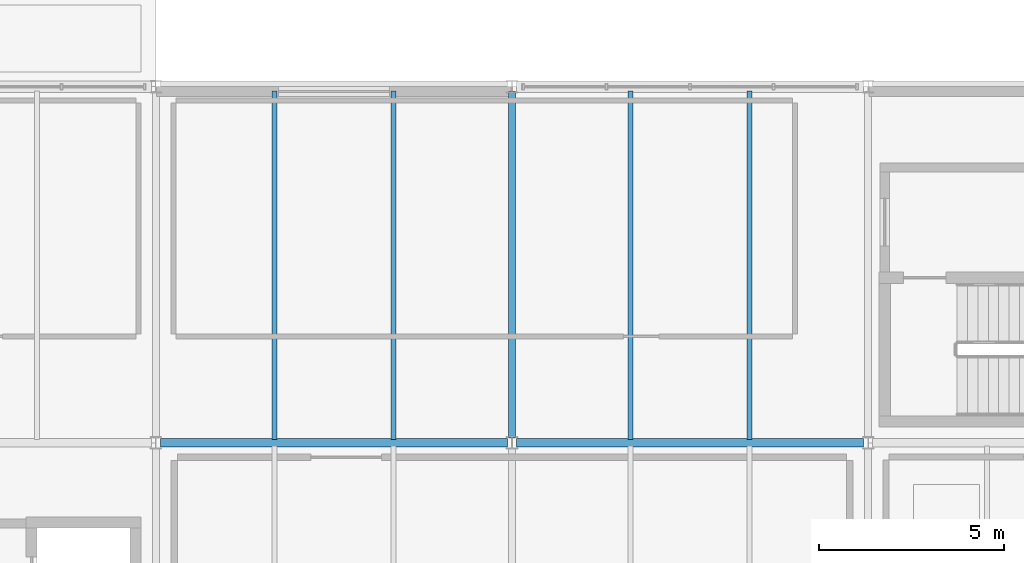
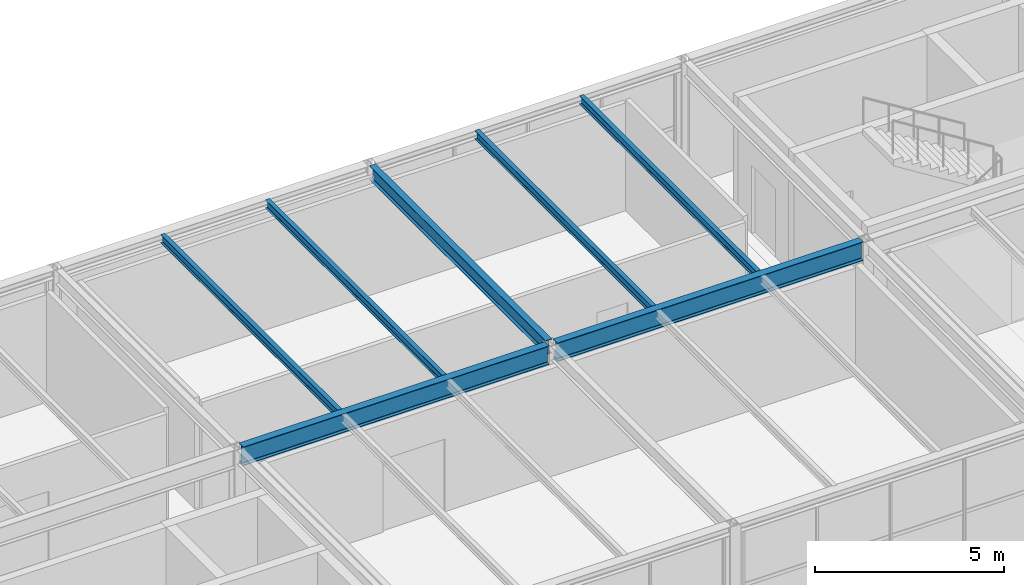
# One storey, part 21 of 50: 7 beams.
"""IFC4 building model written with IfcOpenShell, lengths in metres."""

from ifc_helpers import new_model, si_unit, direction, frame, origin, origin_2d, place, context, subcontext, project, spatial, i_section, extrude, material, material_profile, profile_set, type_object, element, save


model = new_model("IFC4")

# Units and contexts
model_context = context("Model", 3, precision=1e-05, world=origin(), true_north=direction((0.0, 1.0)))
body_context = subcontext(model_context, "Body", "Model", "MODEL_VIEW")
ifc_project = project(units=[si_unit("LENGTHUNIT", "METRE"), si_unit("AREAUNIT", "SQUARE_METRE"), si_unit("VOLUMEUNIT", "CUBIC_METRE"), si_unit("PLANEANGLEUNIT", "RADIAN"), si_unit("MASSUNIT", "GRAM", prefix="KILO")], contexts=[model_context])

# Site, building, storey
site_placement = place(None, origin())
site = spatial("IfcSite", under=ifc_project, at=site_placement, CompositionType="ELEMENT")
building_placement = place(site_placement, origin())
building = spatial("IfcBuilding", under=site, at=building_placement, Name="Coralgate Yard Interchange", CompositionType="ELEMENT")
storey_placement = place(building_placement, frame((0.0, 0.0, 14.699951171875)))
storey = spatial("IfcBuildingStorey", under=building, at=storey_placement, Name="L03", CompositionType="ELEMENT", Elevation=14.699951171875)

# Beams
ifc_material = material(Name="Structural steel S355J2", Category="steel")
ifc_material_profile_1 = material_profile(ifc_material, i_section(OverallWidth=0.1904296875, OverallDepth=0.45703125, WebThickness=0.009033203125, FlangeThickness=0.014404296875, FilletRadius=0.01025390625, at=origin_2d()), Name="UB 457x191x74")
ifc_profile_set_1 = profile_set([ifc_material_profile_1], Name="Structural steel S355J2")
beam_type_1 = type_object("IfcBeamType", Name="BM-SB-2", PredefinedType="BEAM", material=ifc_profile_set_1)
beam_placement = place(storey_placement, frame((38.39990234375, 9.7333984375, 3.721435546875), z_axis=(0.0, 1.0, 0.0), x_axis=(-1.0, 0.0, 0.0)))
element("IfcBeam", 1, at=beam_placement, inside=storey, type_object=beam_type_1, Name="L03 primary grid girder X4 Y1-2", PredefinedType="BEAM", context=body_context, shape_type="SweptSolid", body=[
    extrude(i_section(OverallWidth=0.1904296875, OverallDepth=0.45703125, WebThickness=0.009033203125, FlangeThickness=0.014404296875, FilletRadius=0.01025390625, at=origin_2d()), origin(), (0.0, 0.0, 1.0), 9.3330078125),
])
ifc_material_profile_2 = material_profile(ifc_material, i_section(OverallWidth=0.228271484375, OverallDepth=0.607666015625, WebThickness=0.010986328125, FlangeThickness=0.017333984375, FilletRadius=0.0126953125, at=origin_2d()), Name="UB 610x229x113")
ifc_profile_set_2 = profile_set([ifc_material_profile_2], Name="Structural steel S355J2")
beam_type_2 = type_object("IfcBeamType", Name="BM-SG-5", PredefinedType="BEAM", material=ifc_profile_set_2)
for number, where, z_axis, x_axis, name in (
    (2, (28.925537109375, 9.60009765625, 3.646240234375), (1.0, 0.0, 0.0), (0.0, 1.0, 0.0), "L03 primary grid beam Y1 X3-4"),
    (3, (38.525634765625, 9.60009765625, 3.646240234375), (1.0, 0.0, 0.0), (0.0, 1.0, 0.0), "L03 primary grid beam Y1 X4-5"),
):
    element("IfcBeam", number, at=place(storey_placement, frame(where, z_axis=z_axis, x_axis=x_axis)), inside=storey, type_object=beam_type_2, Name=name, PredefinedType="BEAM", context=body_context, shape_type="SweptSolid", body=[
        extrude(i_section(OverallWidth=0.228271484375, OverallDepth=0.607666015625, WebThickness=0.010986328125, FlangeThickness=0.017333984375, FilletRadius=0.0126953125, at=origin_2d()), origin(), (0.0, 0.0, 1.0), 9.348876953125),
    ])
ifc_material_profile_3 = material_profile(ifc_material, i_section(OverallWidth=0.135009765625, OverallDepth=0.27001953125, WebThickness=0.006591796875, FlangeThickness=0.01025390625, FilletRadius=0.014892578125, at=origin_2d()), Name="IPE 270")
ifc_profile_set_3 = profile_set([ifc_material_profile_3], Name="Structural steel S355J2")
beam_type_3 = type_object("IfcBeamType", Name="BM-SJ-3", PredefinedType="JOIST", material=ifc_profile_set_3)
for number, where, z_axis, x_axis, name in (
    (4, (32.0, 9.68408203125, 3.81494140625), (0.0, 1.0, 0.0), (-1.0, 0.0, 0.0), "L03 composite floor joist 3-1-1"),
    (5, (35.199951171875, 9.68408203125, 3.81494140625), (0.0, 1.0, 0.0), (-1.0, 0.0, 0.0), "L03 composite floor joist 3-1-2"),
    (6, (41.60009765625, 9.68408203125, 3.81494140625), (0.0, 1.0, 0.0), (-1.0, 0.0, 0.0), "L03 composite floor joist 4-1-1"),
    (7, (44.800048828125, 9.68408203125, 3.81494140625), (0.0, 1.0, 0.0), (-1.0, 0.0, 0.0), "L03 composite floor joist 4-1-2"),
):
    element("IfcBeam", number, at=place(storey_placement, frame(where, z_axis=z_axis, x_axis=x_axis)), inside=storey, type_object=beam_type_3, Name=name, PredefinedType="JOIST", context=body_context, shape_type="SweptSolid", body=[
        extrude(i_section(OverallWidth=0.135009765625, OverallDepth=0.27001953125, WebThickness=0.006591796875, FlangeThickness=0.01025390625, FilletRadius=0.014892578125, at=origin_2d()), origin(), (0.0, 0.0, 1.0), 9.39599609375),
    ])

save(model, "model.ifc")
